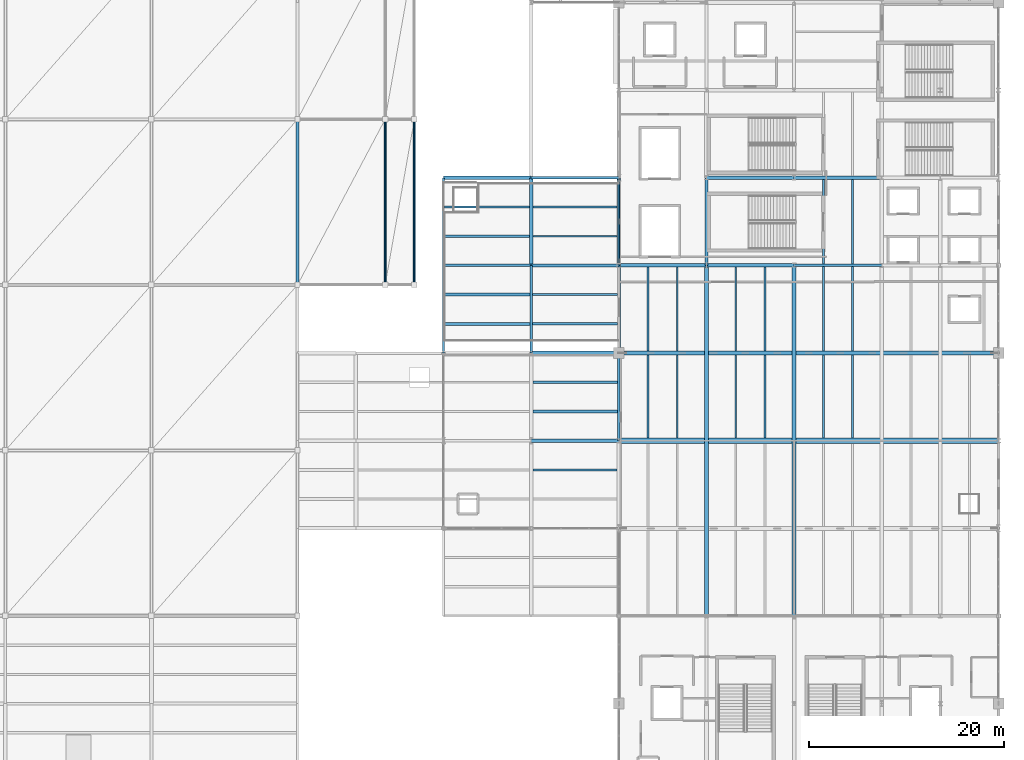
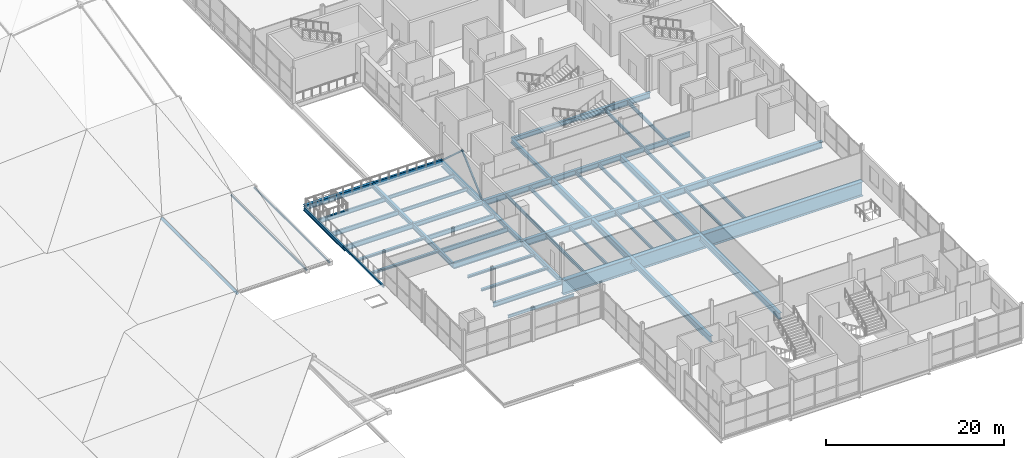
# One storey, part 20 of 69: 48 beams, 5 members.
"""IFC4 building model written with IfcOpenShell, lengths in metres."""

import ifcopenshell
import ifcopenshell.guid

model = None  # the IFC model being written
_history = None  # IfcOwnerHistory: only IFC2X3 demands one
_inside = {}  # id of a spatial element -> (the spatial element, [elements in it])
_under = {}  # id of a project, library or spatial element -> (it, [spatial elements below it])
_declared = {}  # id of a project -> (the project, [libraries it declares])
_typed = {}  # id of a type object -> (the type object, [elements of that type])
_made_of = {}  # id of a material, layer set ... -> (it, [elements and type objects made of it])


def new_model(schema):
    """Start an empty IFC model of exactly this schema.

    Asked for "IFC4X3", IfcOpenShell would pick the latest addendum, in which some entities
    have other attributes; the version numbers below select the first issue.
    IFC2X3 requires an IfcOwnerHistory on every rooted entity: one is made here for all.
    """
    global model, _history
    if schema == "IFC4X3":
        model = ifcopenshell.file(schema_version=(4, 3, 0, 0))
    else:
        model = ifcopenshell.file(schema=schema)
    _inside.clear()
    _under.clear()
    _declared.clear()
    _typed.clear()
    _made_of.clear()
    _history = None
    if model.schema == "IFC2X3":
        org = make("IfcOrganization", Name="unknown")
        user = make(
            "IfcPersonAndOrganization",
            ThePerson=make("IfcPerson", FamilyName="unknown"),
            TheOrganization=org,
        )
        app = make(
            "IfcApplication",
            ApplicationDeveloper=org,
            Version="unknown",
            ApplicationFullName="unknown",
            ApplicationIdentifier="unknown",
        )
        _history = make(
            "IfcOwnerHistory",
            OwningUser=user,
            OwningApplication=app,
            ChangeAction="ADDED",
            CreationDate=0,
        )
    return model


def make(cls, **values):
    """One entity of the class cls with the attributes given. An attribute that is None is left unset."""
    return model.create_entity(
        cls, **{name: value for name, value in values.items() if value is not None}
    )


def rooted(cls, **values):
    """An entity with a GlobalId (a new one), such as an element, a storey or a relation."""
    return make(cls, GlobalId=ifcopenshell.guid.new(), OwnerHistory=_history, **values)


def si_unit(unit_type, name, prefix=None):
    """IfcSIUnit, for example si_unit("LENGTHUNIT", "METRE", prefix="MILLI")."""
    return make("IfcSIUnit", UnitType=unit_type, Prefix=prefix, Name=name)


def assignment(units):
    """IfcUnitAssignment: the units of a project."""
    return None if units is None else make("IfcUnitAssignment", Units=units)


def point(xyz):
    """IfcCartesianPoint."""
    return None if xyz is None else make("IfcCartesianPoint", Coordinates=xyz)


def direction(xyz):
    """IfcDirection."""
    return None if xyz is None else make("IfcDirection", DirectionRatios=xyz)


def frame(location, z_axis=None, x_axis=None):
    """IfcAxis2Placement3D, a coordinate frame: its origin and axes. An axis left out is left unset."""
    return make(
        "IfcAxis2Placement3D",
        Location=point(location),
        Axis=direction(z_axis),
        RefDirection=direction(x_axis),
    )


def frame_2d(location, x_axis=None):
    """IfcAxis2Placement2D, a coordinate frame in the plane: its origin and x axis."""
    return make(
        "IfcAxis2Placement2D", Location=point(location), RefDirection=direction(x_axis)
    )


def origin():
    """The frame at (0, 0, 0) with its axes left unset."""
    return frame((0.0, 0.0, 0.0))


def origin_2d():
    """The frame at (0, 0) in the plane with its x axis left unset."""
    return frame_2d((0.0, 0.0))


def place(relative_to, where):
    """IfcLocalPlacement: puts the frame where relative to a parent placement (None: the world)."""
    return make(
        "IfcLocalPlacement", PlacementRelTo=relative_to, RelativePlacement=where
    )


def context(
    kind, dimensions, precision=None, world=None, true_north=None, identifier=None
):
    """IfcGeometricRepresentationContext, for example the 3D "Model" context."""
    return make(
        "IfcGeometricRepresentationContext",
        ContextIdentifier=identifier,
        ContextType=kind,
        CoordinateSpaceDimension=dimensions,
        Precision=precision,
        WorldCoordinateSystem=world,
        TrueNorth=true_north,
    )


def subcontext(parent, identifier, kind, view, scale=None):
    """IfcGeometricRepresentationSubContext, for example "Body" below "Model"."""
    return make(
        "IfcGeometricRepresentationSubContext",
        ContextIdentifier=identifier,
        ContextType=kind,
        ParentContext=parent,
        TargetScale=scale,
        TargetView=view,
    )


def project(units=None, contexts=None):
    """IfcProject with its units and contexts."""
    return rooted(
        "IfcProject",
        Name="project",
        RepresentationContexts=contexts,
        UnitsInContext=assignment(units),
    )


def spatial(cls, under=None, at=None, **own):
    """A site, building, storey or space (cls), placed at a placement, below another one or the project."""
    s = rooted(cls, ObjectPlacement=at, **own)
    if under is not None:
        _under.setdefault(under.id(), (under, []))[1].append(s)
    return s


def profile(cls, at=None, kind="AREA", **sizes):
    """A parametric profile (cls). Its sizes go by their IFC names, for example OverallWidth=200.0."""
    return make(cls, ProfileType=kind, Position=at, **sizes)


def hollow_rectangle(**sizes):
    """IfcRectangleHollowProfileDef."""
    return profile("IfcRectangleHollowProfileDef", **sizes)


def hollow_circle(**sizes):
    """IfcCircleHollowProfileDef."""
    return profile("IfcCircleHollowProfileDef", **sizes)


def i_section(**sizes):
    """IfcIShapeProfileDef."""
    return profile("IfcIShapeProfileDef", **sizes)


def extrude(swept, where, along, depth):
    """IfcExtrudedAreaSolid: the profile swept, set in the frame where, extruded along a direction by depth."""
    return make(
        "IfcExtrudedAreaSolid",
        SweptArea=swept,
        Position=where,
        ExtrudedDirection=direction(along),
        Depth=depth,
    )


def shape(context_of_items, identifier, shape_type, items):
    """IfcShapeRepresentation: the items that make up one representation, for example the "Body"."""
    return make(
        "IfcShapeRepresentation",
        ContextOfItems=context_of_items,
        RepresentationIdentifier=identifier,
        RepresentationType=shape_type,
        Items=items,
    )


def material(Name=None, Category=None):
    """IfcMaterial."""
    return make("IfcMaterial", Name=Name, Category=Category)


def material_profile(
    of_material, cross_section, Name=None, Category=None, Priority=None
):
    """IfcMaterialProfile: a cross section and its material."""
    return make(
        "IfcMaterialProfile",
        Name=Name,
        Material=of_material,
        Profile=cross_section,
        Priority=Priority,
        Category=Category,
    )


def profile_set(profiles, Name=None, composite=None):
    """IfcMaterialProfileSet."""
    return make(
        "IfcMaterialProfileSet",
        Name=Name,
        MaterialProfiles=profiles,
        CompositeProfile=composite,
    )


def made_of(thing, what):
    """Note that an element or type object is made of a material, layer set ...; save() writes the relation."""
    if what is not None:
        _made_of.setdefault(what.id(), (what, []))[1].append(thing)
    return thing


def type_object(cls, material=None, **own):
    """A type object (cls), such as IfcWallType, which elements share."""
    return made_of(rooted(cls, **own), material)


def element(
    cls,
    number,
    at=None,
    inside=None,
    cuts=None,
    type_object=None,
    material=None,
    context=None,
    identifier="Body",
    shape_type=None,
    held_by="IfcProductDefinitionShape",
    body=None,
    shapes=None,
    **own,
):
    """One element of the class cls, such as IfcWall. Its Tag is "e" and its number.

    at: its placement. inside: the storey or other place that contains it. cuts: it is an
    opening in that element (IfcRelVoidsElement). A single representation is given by context,
    identifier, shape_type and body (its items); several are given by shapes. held_by: the class
    of the entity that holds the representations. save() writes the other relations.
    """
    e = rooted(cls, Tag="e%d" % number, ObjectPlacement=at, **own)
    if body is not None:
        shapes = [shape(context, identifier, shape_type, body)]
    if shapes is not None:
        e.Representation = make(held_by, Representations=shapes)
    if inside is not None:
        _inside.setdefault(inside.id(), (inside, []))[1].append(e)
    if cuts is not None:
        rooted(
            "IfcRelVoidsElement", RelatingBuildingElement=cuts, RelatedOpeningElement=e
        )
    if type_object is not None:
        _typed.setdefault(type_object.id(), (type_object, []))[1].append(e)
    return made_of(e, material)


def aggregate(whole, parts):
    """IfcRelAggregates: a whole, such as a stair, and the parts it consists of."""
    return rooted("IfcRelAggregates", RelatingObject=whole, RelatedObjects=parts)


def save(model, path):
    """Write the relations noted so far, then the file.

    IfcRelAggregates (storeys below a building ...), IfcRelContainedInSpatialStructure (elements
    in a storey), IfcRelDefinesByType, IfcRelAssociatesMaterial and IfcRelDeclares: one each for
    every whole, place, type object, material and project.
    """
    for whole, parts in _under.values():
        aggregate(whole, parts)
    for where, things in _inside.values():
        rooted(
            "IfcRelContainedInSpatialStructure",
            RelatedElements=things,
            RelatingStructure=where,
        )
    for kind, things in _typed.values():
        rooted("IfcRelDefinesByType", RelatedObjects=things, RelatingType=kind)
    for what, things in _made_of.values():
        rooted("IfcRelAssociatesMaterial", RelatedObjects=things, RelatingMaterial=what)
    for by, libraries in _declared.values():
        rooted("IfcRelDeclares", RelatingContext=by, RelatedDefinitions=libraries)
    model.write(path)


model = new_model("IFC4")

# Units and contexts
model_context = context("Model", 3, precision=1e-05, world=origin(), true_north=direction((0.0, 1.0)))
body_context = subcontext(model_context, "Body", "Model", "MODEL_VIEW")
ifc_project = project(units=[si_unit("LENGTHUNIT", "METRE"), si_unit("AREAUNIT", "SQUARE_METRE"), si_unit("VOLUMEUNIT", "CUBIC_METRE"), si_unit("PLANEANGLEUNIT", "RADIAN"), si_unit("MASSUNIT", "GRAM", prefix="KILO")], contexts=[model_context])

# Site, building, storey
site_placement = place(None, origin())
site = spatial("IfcSite", under=ifc_project, at=site_placement, CompositionType="ELEMENT")
building_placement = place(site_placement, origin())
building = spatial("IfcBuilding", under=site, at=building_placement, Name="Qamarlyn Nura Convention Centre", CompositionType="ELEMENT")
storey_placement = place(building_placement, frame((0.0, 0.0, 15.60009765625)))
storey = spatial("IfcBuildingStorey", under=building, at=storey_placement, Name="L03", CompositionType="ELEMENT", Elevation=15.60009765625)

# Beams
ifc_material_1 = material(Name="Steel ASTM A992", Category="steel")
ifc_material_profile_1 = material_profile(ifc_material_1, i_section(OverallWidth=0.60009765625, OverallDepth=2.0, WebThickness=0.031982421875, FlangeThickness=0.050048828125, FilletRadius=0.028076171875, at=origin_2d()), Name="W2000X600")
ifc_profile_set_1 = profile_set([ifc_material_profile_1], Name="Steel ASTM A992")
beam_type_1 = type_object("IfcBeamType", Name="BM-BALLROOM-2000", PredefinedType="BEAM", material=ifc_profile_set_1)
beam_1_placement = place(storey_placement, frame((153.0, 36.0, -1.2001953125), z_axis=(1.0, 0.0, 0.0), x_axis=(0.0, 1.0, 0.0)))
element("IfcBeam", 1, at=beam_1_placement, inside=storey, type_object=beam_type_1, Name="L03 clear-span ballroom girder E 13-18", PredefinedType="BEAM", context=body_context, shape_type="SweptSolid", body=[
    extrude(i_section(OverallWidth=0.60009765625, OverallDepth=2.0, WebThickness=0.031982421875, FlangeThickness=0.050048828125, FilletRadius=0.028076171875, at=origin_2d()), origin(), (0.0, 0.0, 1.0), 39.0),
])
ifc_material_profile_2 = material_profile(ifc_material_1, i_section(OverallWidth=0.323974609375, OverallDepth=0.611083984375, WebThickness=0.0126953125, FlangeThickness=0.01904296875, FilletRadius=0.01611328125, at=origin_2d()), Name="W610X155")
ifc_profile_set_2 = profile_set([ifc_material_profile_2], Name="Steel ASTM A992")
beam_type_2 = type_object("IfcBeamType", Name="BM-GIRD-610", PredefinedType="BEAM", material=ifc_profile_set_2)
for number, where, z_axis, x_axis, name in (
    (2, (144.0, 36.0, -0.505615234375), (1.0, 0.0, 0.0), (0.0, 1.0, 0.0), "L03 girder E 12-13"),
    (3, (144.0, 54.0, -0.485595703125), (1.0, 0.0, 0.0), (0.0, 1.0, 0.0), "L03 girder G 12-13"),
    (4, (162.0, 63.0, -0.505615234375), (1.0, 0.0, 0.0), (0.0, 1.0, 0.0), "L03 girder H 14-15"),
    (5, (144.0, 54.0, -0.485595703125), (0.0, 1.0, 0.0), (-1.0, 0.0, 0.0), "L03 girder 12 G-H"),
    (6, (153.0, 45.0, -0.505615234375), (0.0, 1.0, 0.0), (-1.0, 0.0, 0.0), "L03 girder 13 F-G"),
    (7, (162.0, 54.0, -0.505615234375), (0.0, 1.0, 0.0), (-1.0, 0.0, 0.0), "L03 girder 14 G-H"),
):
    element("IfcBeam", number, at=place(storey_placement, frame(where, z_axis=z_axis, x_axis=x_axis)), inside=storey, type_object=beam_type_2, Name=name, PredefinedType="BEAM", context=body_context, shape_type="SweptSolid", body=[
        extrude(i_section(OverallWidth=0.323974609375, OverallDepth=0.611083984375, WebThickness=0.0126953125, FlangeThickness=0.01904296875, FilletRadius=0.01611328125, at=origin_2d()), origin(), (0.0, 0.0, 1.0), 9.0),
    ])
ifc_material_profile_3 = material_profile(ifc_material_1, i_section(OverallWidth=0.35498046875, OverallDepth=0.695068359375, WebThickness=0.015380859375, FlangeThickness=0.02490234375, FilletRadius=0.01806640625, at=origin_2d()), Name="W690X217")
ifc_profile_set_3 = profile_set([ifc_material_profile_3], Name="Steel ASTM A992")
beam_type_3 = type_object("IfcBeamType", Name="BM-GIRD-690A", PredefinedType="BEAM", material=ifc_profile_set_3)
for number, where, z_axis, x_axis, name in (
    (8, (162.0, 54.0, -0.547607421875), (1.0, 0.0, 0.0), (0.0, 1.0, 0.0), "L03 girder G 14-15"),
    (9, (135.0, 63.0, -0.34765625), (1.0, 0.0, 0.0), (0.0, 1.0, 0.0), "L03 girder H 11-12"),
):
    element("IfcBeam", number, at=place(storey_placement, frame(where, z_axis=z_axis, x_axis=x_axis)), inside=storey, type_object=beam_type_3, Name=name, PredefinedType="BEAM", context=body_context, shape_type="SweptSolid", body=[
        extrude(i_section(OverallWidth=0.35498046875, OverallDepth=0.695068359375, WebThickness=0.015380859375, FlangeThickness=0.02490234375, FilletRadius=0.01806640625, at=origin_2d()), origin(), (0.0, 0.0, 1.0), 9.0),
    ])
ifc_material_profile_4 = material_profile(ifc_material_1, i_section(OverallWidth=0.25390625, OverallDepth=0.68408203125, WebThickness=0.012451171875, FlangeThickness=0.01904296875, FilletRadius=0.01806640625, at=origin_2d()), Name="W690X140")
ifc_profile_set_4 = profile_set([ifc_material_profile_4], Name="Steel ASTM A992")
beam_type_4 = type_object("IfcBeamType", Name="BM-GIRD-690B", PredefinedType="BEAM", material=ifc_profile_set_4)
for number, where, z_axis, x_axis, name in (
    (10, (135.0, 54.0, -0.522216796875), (1.0, 0.0, 0.0), (0.0, 1.0, 0.0), "L03 girder G 11-12"),
    (11, (171.0, 54.0, -0.5419921875), (1.0, 0.0, 0.0), (0.0, 1.0, 0.0), "L03 girder G 15-16"),
    (12, (144.0, 63.0, -0.342041015625), (1.0, 0.0, 0.0), (0.0, 1.0, 0.0), "L03 girder H 12-13"),
    (13, (144.0, 45.0, -0.522216796875), (0.0, 1.0, 0.0), (-1.0, 0.0, 0.0), "L03 girder 12 F-G"),
    (14, (153.0, 36.0, -0.5419921875), (0.0, 1.0, 0.0), (-1.0, 0.0, 0.0), "L03 girder 13 E-F"),
):
    element("IfcBeam", number, at=place(storey_placement, frame(where, z_axis=z_axis, x_axis=x_axis)), inside=storey, type_object=beam_type_4, Name=name, PredefinedType="BEAM", context=body_context, shape_type="SweptSolid", body=[
        extrude(i_section(OverallWidth=0.25390625, OverallDepth=0.68408203125, WebThickness=0.012451171875, FlangeThickness=0.01904296875, FilletRadius=0.01806640625, at=origin_2d()), origin(), (0.0, 0.0, 1.0), 9.0),
    ])
ifc_material_profile_5 = material_profile(ifc_material_1, i_section(OverallWidth=0.381103515625, OverallDepth=0.77294921875, WebThickness=0.0166015625, FlangeThickness=0.027587890625, FilletRadius=0.02001953125, at=origin_2d()), Name="W760X257")
ifc_profile_set_5 = profile_set([ifc_material_profile_5], Name="Steel ASTM A992")
beam_type_5 = type_object("IfcBeamType", Name="BM-GIRD-760", PredefinedType="BEAM", material=ifc_profile_set_5)
for number, where, z_axis, x_axis, name in (
    (15, (144.0, 45.0, -0.586669921875), (1.0, 0.0, 0.0), (0.0, 1.0, 0.0), "L03 girder F 12-13"),
    (16, (153.0, 54.0, -0.586669921875), (1.0, 0.0, 0.0), (0.0, 1.0, 0.0), "L03 girder G 13-14"),
    (17, (171.0, 63.0, -0.586669921875), (1.0, 0.0, 0.0), (0.0, 1.0, 0.0), "L03 girder H 15-16"),
    (18, (153.0, 54.0, -0.586669921875), (0.0, 1.0, 0.0), (-1.0, 0.0, 0.0), "L03 girder 13 G-H"),
):
    element("IfcBeam", number, at=place(storey_placement, frame(where, z_axis=z_axis, x_axis=x_axis)), inside=storey, type_object=beam_type_5, Name=name, PredefinedType="BEAM", context=body_context, shape_type="SweptSolid", body=[
        extrude(i_section(OverallWidth=0.381103515625, OverallDepth=0.77294921875, WebThickness=0.0166015625, FlangeThickness=0.027587890625, FilletRadius=0.02001953125, at=origin_2d()), origin(), (0.0, 0.0, 1.0), 9.0),
    ])
ifc_material_profile_6 = material_profile(ifc_material_1, i_section(OverallWidth=0.39990234375, OverallDepth=0.85498046875, WebThickness=0.018310546875, FlangeThickness=0.029296875, FilletRadius=0.02197265625, at=origin_2d()), Name="W840X299")
ifc_profile_set_6 = profile_set([ifc_material_profile_6], Name="Steel ASTM A992")
beam_type_6 = type_object("IfcBeamType", Name="BM-GIRD-840", PredefinedType="BEAM", material=ifc_profile_set_6)
for number, where, z_axis, x_axis, name in (
    (19, (162.0, 18.0, -0.627685546875), (0.0, 1.0, 0.0), (-1.0, 0.0, 0.0), "L03 girder 14 C-G"),
    (20, (171.0, 18.0, -0.627685546875), (0.0, 1.0, 0.0), (-1.0, 0.0, 0.0), "L03 girder 15 C-G"),
):
    element("IfcBeam", number, at=place(storey_placement, frame(where, z_axis=z_axis, x_axis=x_axis)), inside=storey, type_object=beam_type_6, Name=name, PredefinedType="BEAM", context=body_context, shape_type="SweptSolid", body=[
        extrude(i_section(OverallWidth=0.39990234375, OverallDepth=0.85498046875, WebThickness=0.018310546875, FlangeThickness=0.029296875, FilletRadius=0.02197265625, at=origin_2d()), origin(), (0.0, 0.0, 1.0), 36.0),
    ])
ifc_material_profile_7 = material_profile(ifc_material_1, i_section(OverallWidth=0.304931640625, OverallDepth=0.30810546875, WebThickness=0.010009765625, FlangeThickness=0.015380859375, FilletRadius=0.014892578125, at=origin_2d()), Name="W310X97")
ifc_profile_set_7 = profile_set([ifc_material_profile_7], Name="Steel ASTM A992")
beam_type_7 = type_object("IfcBeamType", Name="BM-JOIST-310", PredefinedType="JOIST", material=ifc_profile_set_7)
for number, where, z_axis, x_axis, name in (
    (21, (135.10009765625, 48.0, -0.333984375), (1.0, 0.0, 0.0), (0.0, 1.0, 0.0), "L03 composite joist 11-12/F+1"),
    (22, (135.10009765625, 51.0, -0.333984375), (1.0, 0.0, 0.0), (0.0, 1.0, 0.0), "L03 composite joist 11-12/F+2"),
):
    element("IfcBeam", number, at=place(storey_placement, frame(where, z_axis=z_axis, x_axis=x_axis)), inside=storey, type_object=beam_type_7, Name=name, PredefinedType="JOIST", context=body_context, shape_type="SweptSolid", body=[
        extrude(i_section(OverallWidth=0.304931640625, OverallDepth=0.30810546875, WebThickness=0.010009765625, FlangeThickness=0.015380859375, FilletRadius=0.014892578125, at=origin_2d()), origin(), (0.0, 0.0, 1.0), 8.77294921875),
    ])
for number, where, z_axis, x_axis, name in (
    (23, (144.177490234375, 39.0, -0.35400390625), (1.0, 0.0, 0.0), (0.0, 1.0, 0.0), "L03 composite joist 12-13/E+1"),
    (24, (144.177490234375, 42.0, -0.35400390625), (1.0, 0.0, 0.0), (0.0, 1.0, 0.0), "L03 composite joist 12-13/E+2"),
):
    element("IfcBeam", number, at=place(storey_placement, frame(where, z_axis=z_axis, x_axis=x_axis)), inside=storey, type_object=beam_type_7, Name=name, PredefinedType="JOIST", context=body_context, shape_type="SweptSolid", body=[
        extrude(i_section(OverallWidth=0.304931640625, OverallDepth=0.30810546875, WebThickness=0.010009765625, FlangeThickness=0.015380859375, FilletRadius=0.014892578125, at=origin_2d()), origin(), (0.0, 0.0, 1.0), 8.695556640625),
    ])
ifc_material_profile_8 = material_profile(ifc_material_1, i_section(OverallWidth=0.177978515625, OverallDepth=0.406982421875, WebThickness=0.0078125, FlangeThickness=0.0126953125, FilletRadius=0.011962890625, at=origin_2d()), Name="W410X60")
ifc_profile_set_8 = profile_set([ifc_material_profile_8], Name="Steel ASTM A992")
beam_type_8 = type_object("IfcBeamType", Name="BM-JOIST-410", PredefinedType="JOIST", material=ifc_profile_set_8)
beam_2_placement = place(storey_placement, frame((144.1904296875, 33.0, -0.403564453125), z_axis=(1.0, 0.0, 0.0), x_axis=(0.0, 1.0, 0.0)))
element("IfcBeam", 25, at=beam_2_placement, inside=storey, type_object=beam_type_8, Name="L03 composite joist 12-13/D+2", PredefinedType="JOIST", context=body_context, shape_type="SweptSolid", body=[
    extrude(i_section(OverallWidth=0.177978515625, OverallDepth=0.406982421875, WebThickness=0.0078125, FlangeThickness=0.0126953125, FilletRadius=0.011962890625, at=origin_2d()), origin(), (0.0, 0.0, 1.0), 8.632080078125),
])
ifc_material_profile_9 = material_profile(ifc_material_1, i_section(OverallWidth=0.18994140625, OverallDepth=0.45703125, WebThickness=0.009033203125, FlangeThickness=0.014404296875, FilletRadius=0.012939453125, at=origin_2d()), Name="W460X74")
ifc_profile_set_9 = profile_set([ifc_material_profile_9], Name="Steel ASTM A992")
beam_type_9 = type_object("IfcBeamType", Name="BM-JOIST-460", PredefinedType="JOIST", material=ifc_profile_set_9)
for number, where, z_axis, x_axis, name in (
    (26, (144.162109375, 57.0, -0.40869140625), (1.0, 0.0, 0.0), (0.0, 1.0, 0.0), "L03 composite joist 12-13/G+1"),
    (27, (144.162109375, 60.0, -0.40869140625), (1.0, 0.0, 0.0), (0.0, 1.0, 0.0), "L03 composite joist 12-13/G+2"),
):
    element("IfcBeam", number, at=place(storey_placement, frame(where, z_axis=z_axis, x_axis=x_axis)), inside=storey, type_object=beam_type_9, Name=name, PredefinedType="JOIST", context=body_context, shape_type="SweptSolid", body=[
        extrude(i_section(OverallWidth=0.18994140625, OverallDepth=0.45703125, WebThickness=0.009033203125, FlangeThickness=0.014404296875, FilletRadius=0.012939453125, at=origin_2d()), origin(), (0.0, 0.0, 1.0), 8.6474609375),
    ])
for number, where, z_axis, x_axis, name in (
    (28, (156.0, 36.300048828125, -0.4287109375), (0.0, 1.0, 0.0), (-1.0, 0.0, 0.0), "L03 secondary joist 13-14/E-F-08"),
    (29, (159.0, 36.300048828125, -0.4287109375), (0.0, 1.0, 0.0), (-1.0, 0.0, 0.0), "L03 secondary joist 13-14/E-F-09"),
):
    element("IfcBeam", number, at=place(storey_placement, frame(where, z_axis=z_axis, x_axis=x_axis)), inside=storey, type_object=beam_type_9, Name=name, PredefinedType="JOIST", context=body_context, shape_type="SweptSolid", body=[
        extrude(i_section(OverallWidth=0.18994140625, OverallDepth=0.45703125, WebThickness=0.009033203125, FlangeThickness=0.014404296875, FilletRadius=0.012939453125, at=origin_2d()), origin(), (0.0, 0.0, 1.0), 8.490966796875),
    ])
for number, where, z_axis, x_axis, name in (
    (30, (156.0, 45.208984375, -0.4287109375), (0.0, 1.0, 0.0), (-1.0, 0.0, 0.0), "L03 secondary joist 13-14/F-G-10"),
    (31, (159.0, 45.208984375, -0.4287109375), (0.0, 1.0, 0.0), (-1.0, 0.0, 0.0), "L03 secondary joist 13-14/F-G-11"),
):
    element("IfcBeam", number, at=place(storey_placement, frame(where, z_axis=z_axis, x_axis=x_axis)), inside=storey, type_object=beam_type_9, Name=name, PredefinedType="JOIST", context=body_context, shape_type="SweptSolid", body=[
        extrude(i_section(OverallWidth=0.18994140625, OverallDepth=0.45703125, WebThickness=0.009033203125, FlangeThickness=0.014404296875, FilletRadius=0.012939453125, at=origin_2d()), origin(), (0.0, 0.0, 1.0), 8.6005859375),
    ])
for number, where, z_axis, x_axis, name in (
    (32, (165.0, 36.300048828125, -0.4287109375), (0.0, 1.0, 0.0), (-1.0, 0.0, 0.0), "L03 secondary joist 14-15/E-F-20"),
    (33, (168.0, 36.300048828125, -0.4287109375), (0.0, 1.0, 0.0), (-1.0, 0.0, 0.0), "L03 secondary joist 14-15/E-F-21"),
):
    element("IfcBeam", number, at=place(storey_placement, frame(where, z_axis=z_axis, x_axis=x_axis)), inside=storey, type_object=beam_type_9, Name=name, PredefinedType="JOIST", context=body_context, shape_type="SweptSolid", body=[
        extrude(i_section(OverallWidth=0.18994140625, OverallDepth=0.45703125, WebThickness=0.009033203125, FlangeThickness=0.014404296875, FilletRadius=0.012939453125, at=origin_2d()), origin(), (0.0, 0.0, 1.0), 8.490966796875),
    ])
for number, where, z_axis, x_axis, name in (
    (34, (165.0, 45.208984375, -0.4287109375), (0.0, 1.0, 0.0), (-1.0, 0.0, 0.0), "L03 secondary joist 14-15/F-G-22"),
    (35, (168.0, 45.208984375, -0.4287109375), (0.0, 1.0, 0.0), (-1.0, 0.0, 0.0), "L03 secondary joist 14-15/F-G-23"),
):
    element("IfcBeam", number, at=place(storey_placement, frame(where, z_axis=z_axis, x_axis=x_axis)), inside=storey, type_object=beam_type_9, Name=name, PredefinedType="JOIST", context=body_context, shape_type="SweptSolid", body=[
        extrude(i_section(OverallWidth=0.18994140625, OverallDepth=0.45703125, WebThickness=0.009033203125, FlangeThickness=0.014404296875, FilletRadius=0.012939453125, at=origin_2d()), origin(), (0.0, 0.0, 1.0), 8.613525390625),
    ])
for number, where, z_axis, x_axis, name in (
    (36, (174.0, 36.300048828125, -0.4287109375), (0.0, 1.0, 0.0), (-1.0, 0.0, 0.0), "L03 secondary joist 15-16/E-F-30"),
    (37, (177.0, 36.300048828125, -0.4287109375), (0.0, 1.0, 0.0), (-1.0, 0.0, 0.0), "L03 secondary joist 15-16/E-F-31"),
):
    element("IfcBeam", number, at=place(storey_placement, frame(where, z_axis=z_axis, x_axis=x_axis)), inside=storey, type_object=beam_type_9, Name=name, PredefinedType="JOIST", context=body_context, shape_type="SweptSolid", body=[
        extrude(i_section(OverallWidth=0.18994140625, OverallDepth=0.45703125, WebThickness=0.009033203125, FlangeThickness=0.014404296875, FilletRadius=0.012939453125, at=origin_2d()), origin(), (0.0, 0.0, 1.0), 8.490966796875),
    ])
for number, where, z_axis, x_axis, name in (
    (38, (174.0, 45.208984375, -0.4287109375), (0.0, 1.0, 0.0), (-1.0, 0.0, 0.0), "L03 secondary joist 15-16/F-G-32"),
    (39, (177.0, 45.208984375, -0.4287109375), (0.0, 1.0, 0.0), (-1.0, 0.0, 0.0), "L03 secondary joist 15-16/F-G-33"),
):
    element("IfcBeam", number, at=place(storey_placement, frame(where, z_axis=z_axis, x_axis=x_axis)), inside=storey, type_object=beam_type_9, Name=name, PredefinedType="JOIST", context=body_context, shape_type="SweptSolid", body=[
        extrude(i_section(OverallWidth=0.18994140625, OverallDepth=0.45703125, WebThickness=0.009033203125, FlangeThickness=0.014404296875, FilletRadius=0.012939453125, at=origin_2d()), origin(), (0.0, 0.0, 1.0), 8.6640625),
    ])
for number, where, z_axis, x_axis, name in (
    (40, (174.0, 54.126953125, -0.4287109375), (0.0, 1.0, 0.0), (-1.0, 0.0, 0.0), "L03 secondary joist 15-16/G-H-34"),
    (41, (177.0, 54.126953125, -0.4287109375), (0.0, 1.0, 0.0), (-1.0, 0.0, 0.0), "L03 secondary joist 15-16/G-H-35"),
):
    element("IfcBeam", number, at=place(storey_placement, frame(where, z_axis=z_axis, x_axis=x_axis)), inside=storey, type_object=beam_type_9, Name=name, PredefinedType="JOIST", context=body_context, shape_type="SweptSolid", body=[
        extrude(i_section(OverallWidth=0.18994140625, OverallDepth=0.45703125, WebThickness=0.009033203125, FlangeThickness=0.014404296875, FilletRadius=0.012939453125, at=origin_2d()), origin(), (0.0, 0.0, 1.0), 8.6826171875),
    ])
ifc_material_profile_10 = material_profile(ifc_material_1, i_section(OverallWidth=0.22802734375, OverallDepth=0.60791015625, WebThickness=0.01123046875, FlangeThickness=0.017333984375, FilletRadius=0.01611328125, at=origin_2d()), Name="W610X113")
ifc_profile_set_10 = profile_set([ifc_material_profile_10], Name="Steel ASTM A992")
beam_type_10 = type_object("IfcBeamType", Name="BM-JOIST-610", PredefinedType="JOIST", material=ifc_profile_set_10)
for number, where, z_axis, x_axis, name in (
    (42, (135.10546875, 57.0, -0.484130859375), (1.0, 0.0, 0.0), (0.0, 1.0, 0.0), "L03 composite joist 11-12/G+1"),
    (43, (135.10546875, 60.0, -0.484130859375), (1.0, 0.0, 0.0), (0.0, 1.0, 0.0), "L03 composite joist 11-12/G+2"),
):
    element("IfcBeam", number, at=place(storey_placement, frame(where, z_axis=z_axis, x_axis=x_axis)), inside=storey, type_object=beam_type_10, Name=name, PredefinedType="JOIST", context=body_context, shape_type="SweptSolid", body=[
        extrude(i_section(OverallWidth=0.22802734375, OverallDepth=0.60791015625, WebThickness=0.01123046875, FlangeThickness=0.017333984375, FilletRadius=0.01611328125, at=origin_2d()), origin(), (0.0, 0.0, 1.0), 8.732421875),
    ])
for number, where, z_axis, x_axis, name in (
    (44, (144.126953125, 48.0, -0.484130859375), (1.0, 0.0, 0.0), (0.0, 1.0, 0.0), "L03 composite joist 12-13/F+1"),
    (45, (144.126953125, 51.0, -0.484130859375), (1.0, 0.0, 0.0), (0.0, 1.0, 0.0), "L03 composite joist 12-13/F+2"),
):
    element("IfcBeam", number, at=place(storey_placement, frame(where, z_axis=z_axis, x_axis=x_axis)), inside=storey, type_object=beam_type_10, Name=name, PredefinedType="JOIST", context=body_context, shape_type="SweptSolid", body=[
        extrude(i_section(OverallWidth=0.22802734375, OverallDepth=0.60791015625, WebThickness=0.01123046875, FlangeThickness=0.017333984375, FilletRadius=0.01611328125, at=origin_2d()), origin(), (0.0, 0.0, 1.0), 8.7109375),
    ])
ifc_material_profile_11 = material_profile(ifc_material_1, i_section(OverallWidth=0.2109375, OverallDepth=0.5390625, WebThickness=0.01171875, FlangeThickness=0.018798828125, FilletRadius=0.013916015625, at=origin_2d()), Name="W530X109")
ifc_profile_set_11 = profile_set([ifc_material_profile_11], Name="Steel ASTM A992")
beam_type_11 = type_object("IfcBeamType", Name="BM-SPAN-530", PredefinedType="SPANDREL", material=ifc_profile_set_11)
beam_3_placement = place(storey_placement, frame((135.0, 54.0, -0.44970703125), z_axis=(0.0, 1.0, 0.0), x_axis=(-1.0, 0.0, 0.0)))
element("IfcBeam", 46, at=beam_3_placement, inside=storey, type_object=beam_type_11, Name="L03 girder 11 G-H", PredefinedType="SPANDREL", context=body_context, shape_type="SweptSolid", body=[
    extrude(i_section(OverallWidth=0.2109375, OverallDepth=0.5390625, WebThickness=0.01171875, FlangeThickness=0.018798828125, FilletRadius=0.013916015625, at=origin_2d()), origin(), (0.0, 0.0, 1.0), 9.0),
])
ifc_material_2 = material(Name="Steel ASTM A500 Grade C", Category="steel")
ifc_material_profile_12 = material_profile(ifc_material_2, hollow_rectangle(XDim=0.199951171875, YDim=0.300048828125, WallThickness=0.012451171875, InnerFilletRadius=0.012451171875, OuterFilletRadius=0.02490234375, at=origin_2d()), Name="HSS300X200X12.5")
ifc_profile_set_12 = profile_set([ifc_material_profile_12], Name="Steel ASTM A500 Grade C")
beam_type_12 = type_object("IfcBeamType", Name="BM-SPAN-HSS", PredefinedType="SPANDREL", material=ifc_profile_set_12)
beam_4_placement = place(storey_placement, frame((135.0, 45.0, -0.330078125), z_axis=(0.0, 1.0, 0.0), x_axis=(-1.0, 0.0, 0.0)))
element("IfcBeam", 47, at=beam_4_placement, inside=storey, type_object=beam_type_12, Name="L03 girder 11 F-G", PredefinedType="SPANDREL", context=body_context, shape_type="SweptSolid", body=[
    extrude(hollow_rectangle(XDim=0.199951171875, YDim=0.300048828125, WallThickness=0.012451171875, InnerFilletRadius=0.012451171875, OuterFilletRadius=0.02490234375, at=origin_2d()), origin(), (0.0, 0.0, 1.0), 9.0),
])
ifc_material_profile_13 = material_profile(ifc_material_1, i_section(OverallWidth=0.41796875, OverallDepth=0.912109375, WebThickness=0.019287109375, FlangeThickness=0.031982421875, FilletRadius=0.02392578125, at=origin_2d()), Name="W920X342")
ifc_profile_set_13 = profile_set([ifc_material_profile_13], Name="Steel ASTM A992")
beam_type_13 = type_object("IfcBeamType", Name="BM-TRANSFER-920", PredefinedType="BEAM", material=ifc_profile_set_13)
beam_5_placement = place(storey_placement, frame((153.0, 45.0, -0.656005859375), z_axis=(1.0, 0.0, 0.0), x_axis=(0.0, 1.0, 0.0)))
element("IfcBeam", 48, at=beam_5_placement, inside=storey, type_object=beam_type_13, Name="L03 Warren transfer structure girder F 13-18", PredefinedType="BEAM", context=body_context, shape_type="SweptSolid", body=[
    extrude(i_section(OverallWidth=0.41796875, OverallDepth=0.912109375, WebThickness=0.019287109375, FlangeThickness=0.031982421875, FilletRadius=0.02392578125, at=origin_2d()), origin(), (0.0, 0.0, 1.0), 39.0),
])

# Members
ifc_material_profile_14 = material_profile(ifc_material_2, hollow_rectangle(XDim=0.199951171875, YDim=0.199951171875, WallThickness=0.010009765625, InnerFilletRadius=0.010009765625, OuterFilletRadius=0.02001953125, at=origin_2d()), Name="HSS200X200X10")
ifc_profile_set_14 = profile_set([ifc_material_profile_14], Name="Steel ASTM A500 Grade C")
member_type_1 = type_object("IfcMemberType", Name="CBF-BRC-200", PredefinedType="BRACE", material=ifc_profile_set_14)
for number, where, z_axis, x_axis, name in (
    (49, (153.0, 54.179931640625, 0.0), (0.0, 0.741864451797, 0.670549875222), (-1.0, 0.0, 0.0), "L03 SCBF chevron brace CBF-E3L"),
    (50, (153.0, 62.820068359375, 0.0), (0.0, -0.741864451797, 0.670549875222), (1.0, 0.0, 0.0), "L03 SCBF chevron brace CBF-E3R"),
):
    element("IfcMember", number, at=place(storey_placement, frame(where, z_axis=z_axis, x_axis=x_axis)), inside=storey, type_object=member_type_1, Name=name, PredefinedType="BRACE", context=body_context, shape_type="SweptSolid", body=[
        extrude(hollow_rectangle(XDim=0.199951171875, YDim=0.199951171875, WallThickness=0.010009765625, InnerFilletRadius=0.010009765625, OuterFilletRadius=0.02001953125, at=origin_2d()), origin(), (0.0, 0.0, 1.0), 5.8232421875),
    ])
ifc_material_3 = material(Name="Pearl-white PVDF steel ASTM A500 Grade C", Category="steel")
ifc_material_profile_15 = material_profile(ifc_material_3, hollow_circle(Radius=0.122314453125, WallThickness=0.010009765625, at=origin_2d()), Name="CHS244.5X10")
ifc_profile_set_15 = profile_set([ifc_material_profile_15], Name="Pearl-white PVDF steel ASTM A500 Grade C")
member_type_2 = type_object("IfcMemberType", Name="SF-TC-EAVE", PredefinedType="CHORD", material=ifc_profile_set_15)
for number, where, z_axis, x_axis, name in (
    (51, (129.0, 52.0, -0.194580078125), (0.0, 1.0, 0.0), (-1.0, 0.0, 0.0), "ROOF TRUSS space frame top chord Y11-4"),
    (52, (132.0, 52.0, -0.189453125), (0.0, 1.0, 0.0), (-1.0, 0.0, 0.0), "ROOF TRUSS space frame top chord Y12-4"),
):
    element("IfcMember", number, at=place(storey_placement, frame(where, z_axis=z_axis, x_axis=x_axis)), inside=storey, type_object=member_type_2, Name=name, PredefinedType="CHORD", context=body_context, shape_type="SweptSolid", body=[
        extrude(hollow_circle(Radius=0.122314453125, WallThickness=0.010009765625, at=origin_2d()), origin(), (0.0, 0.0, 1.0), 17.0),
    ])
ifc_material_profile_16 = material_profile(ifc_material_3, hollow_circle(Radius=0.177734375, WallThickness=0.01611328125, at=origin_2d()), Name="CHS355.6X16")
ifc_profile_set_16 = profile_set([ifc_material_profile_16], Name="Pearl-white PVDF steel ASTM A500 Grade C")
member_type_3 = type_object("IfcMemberType", Name="SF-TC-HEAVY", PredefinedType="CHORD", material=ifc_profile_set_16)
member_placement = place(storey_placement, frame((120.0, 52.0, -0.2626953125), z_axis=(0.0, 1.0, 0.0), x_axis=(-1.0, 0.0, 0.0)))
element("IfcMember", 53, at=member_placement, inside=storey, type_object=member_type_3, Name="ROOF TRUSS space frame top chord Y10-4", PredefinedType="CHORD", context=body_context, shape_type="SweptSolid", body=[
    extrude(hollow_circle(Radius=0.177734375, WallThickness=0.01611328125, at=origin_2d()), origin(), (0.0, 0.0, 1.0), 17.0),
])

save(model, "model.ifc")
